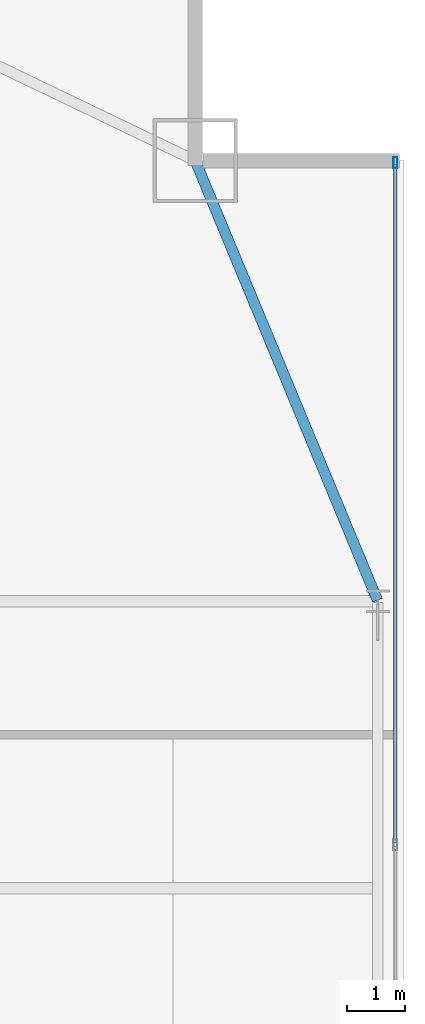
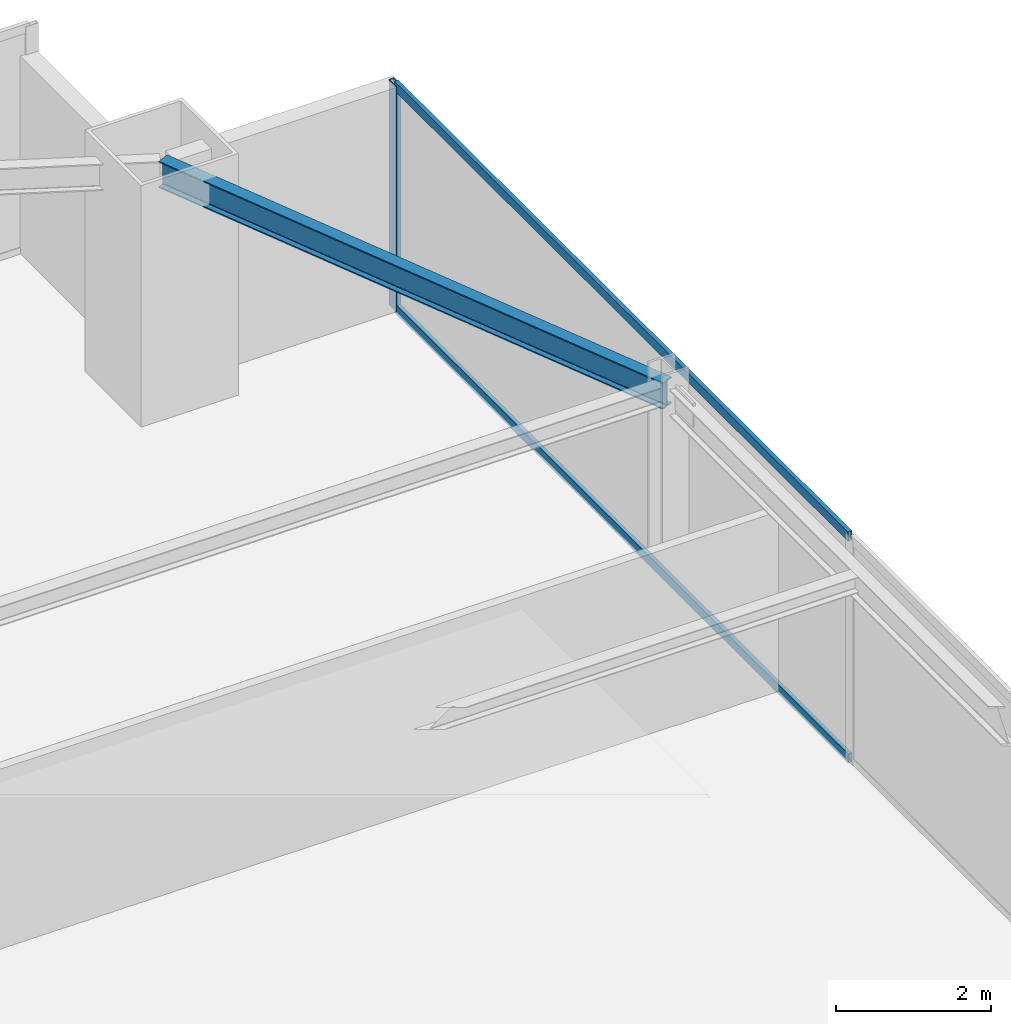
# One storey, part 24 of 32: 3 members, 1 beam, 1 element without a shape of its own.
"""IFC4 building model written with IfcOpenShell, lengths in metres."""

from ifc_helpers import new_model, si_unit, direction, frame, origin, origin_2d, place, context, subcontext, project, spatial, hollow_rectangle, i_section, extrude, source, transform, mapped, material, layer, layer_set, material_profile, profile_set, type_object, type_shapes, element, aggregate, save


model = new_model("IFC4")

# Units and contexts
model_context = context("Model", 3, precision=1e-05, world=origin(), true_north=direction((0.0, 1.0)))
body_context = subcontext(model_context, "Body", "Model", "MODEL_VIEW")
ifc_project = project(units=[si_unit("LENGTHUNIT", "METRE"), si_unit("AREAUNIT", "SQUARE_METRE"), si_unit("VOLUMEUNIT", "CUBIC_METRE"), si_unit("PLANEANGLEUNIT", "RADIAN"), si_unit("MASSUNIT", "GRAM", prefix="KILO")], contexts=[model_context])

# Site, building, storey
site_placement = place(None, origin())
site = spatial("IfcSite", under=ifc_project, at=site_placement, CompositionType="ELEMENT")
building_placement = place(site_placement, origin())
building = spatial("IfcBuilding", under=site, at=building_placement, Name="Varnel Quay Broadcast Tower", CompositionType="ELEMENT")
storey_placement = place(building_placement, frame((0.0, 0.0, 90.800048828125)))
storey = spatial("IfcBuildingStorey", under=building, at=storey_placement, Name="L21", CompositionType="ELEMENT", Elevation=90.800048828125)

# Beam
ifc_material_1 = material(Name="Structural Steel CSA G40.21 350W", Category="steel")
ifc_material_profile_1 = material_profile(ifc_material_1, i_section(OverallWidth=0.180908203125, OverallDepth=0.4169921875, WebThickness=0.010986328125, FlangeThickness=0.018310546875, FilletRadius=0.011962890625, at=origin_2d()), Name="W410X85")
ifc_profile_set_1 = profile_set([ifc_material_profile_1], Name="Structural Steel CSA G40.21 350W")
beam_type = type_object("IfcBeamType", Name="Beam_W410X85", PredefinedType="SPANDREL", material=ifc_profile_set_1)
shared_shape_1 = source(origin(), body_context, "Body", "SweptSolid", [
    extrude(i_section(OverallWidth=0.180908203125, OverallDepth=0.4169921875, WebThickness=0.010986328125, FlangeThickness=0.018310546875, FilletRadius=0.011962890625, at=origin_2d()), origin(), (0.0, 0.0, 1.0), 8.186767578125),
])
type_shapes(beam_type, [shared_shape_1])
beam_placement = place(storey_placement, frame((63.042236328125, 35.618408203125, 3.341552734375), z_axis=(-0.382874132092, 0.923800519038, 0.0), x_axis=(-0.923800519038, -0.382874132092, 0.0)))
element("IfcBeam", 1, at=beam_placement, inside=storey, type_object=beam_type, Name="L21 East Spandrel TC-E3-MC-NE", PredefinedType="SPANDREL", context=body_context, shape_type="MappedRepresentation", body=[
    mapped(shared_shape_1, transform((0.0, 0.0, 0.0), x_axis=(1.0, 0.0, 0.0), y_axis=(0.0, 1.0, 0.0), z_axis=(0.0, 0.0, 1.0), scale=1.0)),
])

# Curtain wall, members
ifc_material_2 = material(Name="Anodised Bronze Aluminium 6063-T6", Category="aluminium")
ifc_layer = layer(ifc_material_2, 0.18994140625, Name="Anodised Bronze Aluminium 6063-T6")
ifc_layer_set = layer_set([ifc_layer], Name="Anodised Bronze Aluminium 6063-T6")
curtain_wall_type = type_object("IfcCurtainWallType", Name="CW_LowerTower", PredefinedType="NOTDEFINED", material=ifc_layer_set)
curtain_wall_placement = place(storey_placement, origin())
curtain_wall = element("IfcCurtainWall", 2, at=curtain_wall_placement, inside=storey, type_object=curtain_wall_type, Name="L21 East Unitised Curtain Wall", PredefinedType="NOTDEFINED")
ifc_material_profile_2 = material_profile(ifc_material_2, hollow_rectangle(XDim=0.070068359375, YDim=0.18994140625, WallThickness=0.00390625, at=origin_2d()), Name="ALU70X190X4")
ifc_profile_set_2 = profile_set([ifc_material_profile_2], Name="Anodised Bronze Aluminium 6063-T6")
member_type_1 = type_object("IfcMemberType", Name="Mull_CWS-02", PredefinedType="MULLION", material=ifc_profile_set_2)
shared_shape_2 = source(origin(), body_context, "Body", "SweptSolid", [
    extrude(hollow_rectangle(XDim=0.070068359375, YDim=0.18994140625, WallThickness=0.00390625, at=origin_2d()), origin(), (0.0, 0.0, 1.0), 3.550048828125),
])
type_shapes(member_type_1, [shared_shape_2])
member_1_placement = place(storey_placement, frame((63.35009765625, 43.1650390625, 0.0), z_axis=(0.0, 0.0, 1.0), x_axis=(-1.0, 0.0, 0.0)))
member_1 = element("IfcMember", 3, at=member_1_placement, type_object=member_type_1, Name="CWS-02 mullion 4", PredefinedType="MULLION", context=body_context, shape_type="MappedRepresentation", body=[
    mapped(shared_shape_2, transform((0.0, 0.0, 0.0), x_axis=(1.0, 0.0, 0.0), y_axis=(0.0, 1.0, 0.0), z_axis=(0.0, 0.0, 1.0), scale=1.0)),
])
ifc_material_profile_3 = material_profile(ifc_material_2, hollow_rectangle(XDim=0.06005859375, YDim=0.14501953125, WallThickness=0.00341796875, at=origin_2d()), Name="ALU60X145X3.5")
ifc_profile_set_3 = profile_set([ifc_material_profile_3], Name="Anodised Bronze Aluminium 6063-T6")
member_type_2 = type_object("IfcMemberType", Name="Tran_CWS-02", PredefinedType="USERDEFINED", material=ifc_profile_set_3)
shared_shape_3 = source(origin(), body_context, "Body", "SweptSolid", [
    extrude(hollow_rectangle(XDim=0.06005859375, YDim=0.14501953125, WallThickness=0.00341796875, at=origin_2d()), origin(), (0.0, 0.0, 1.0), 11.69482421875),
])
type_shapes(member_type_2, [shared_shape_3])
member_2_placement = place(storey_placement, frame((63.35009765625, 31.43505859375, 0.030029296875), z_axis=(0.0, 1.0, 0.0), x_axis=(-1.0, 0.0, 0.0)))
member_2 = element("IfcMember", 4, at=member_2_placement, type_object=member_type_2, Name="CWS-02 transom 3.1", ObjectType="TRANSOM", PredefinedType="USERDEFINED", context=body_context, shape_type="MappedRepresentation", body=[
    mapped(shared_shape_3, transform((0.0, 0.0, 0.0), x_axis=(1.0, 0.0, 0.0), y_axis=(0.0, 1.0, 0.0), z_axis=(0.0, 0.0, 1.0), scale=1.0)),
])
member_3_placement = place(storey_placement, frame((63.35009765625, 31.43505859375, 3.52001953125), z_axis=(0.0, 1.0, 0.0), x_axis=(-1.0, 0.0, 0.0)))
member_3 = element("IfcMember", 5, at=member_3_placement, type_object=member_type_2, Name="CWS-02 transom 3.2", ObjectType="TRANSOM", PredefinedType="USERDEFINED", context=body_context, shape_type="MappedRepresentation", body=[
    mapped(shared_shape_3, transform((0.0, 0.0, 0.0), x_axis=(1.0, 0.0, 0.0), y_axis=(0.0, 1.0, 0.0), z_axis=(0.0, 0.0, 1.0), scale=1.0)),
])
aggregate(curtain_wall, [member_1, member_2, member_3])

save(model, "model.ifc")
